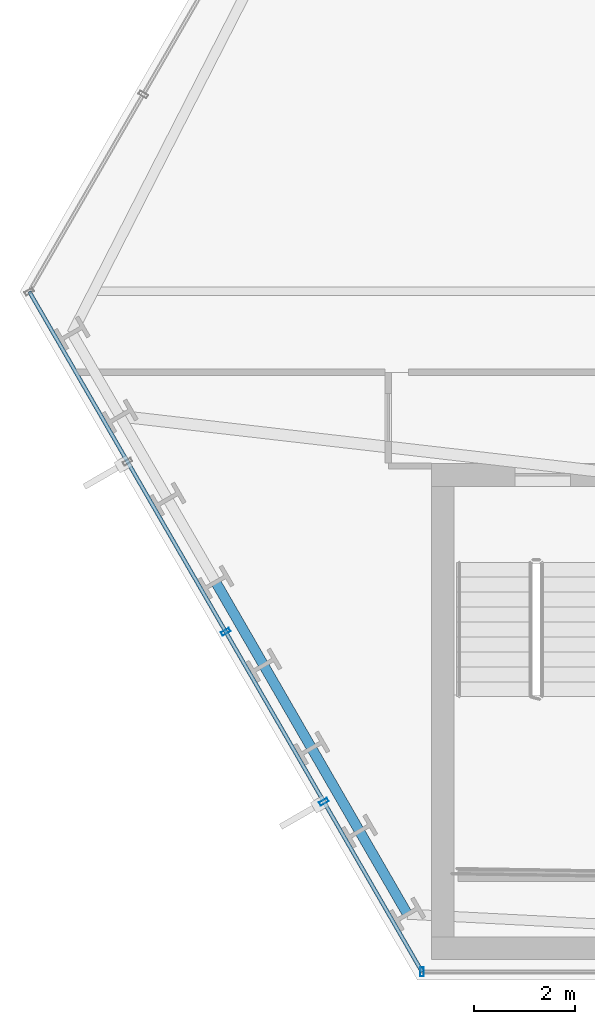
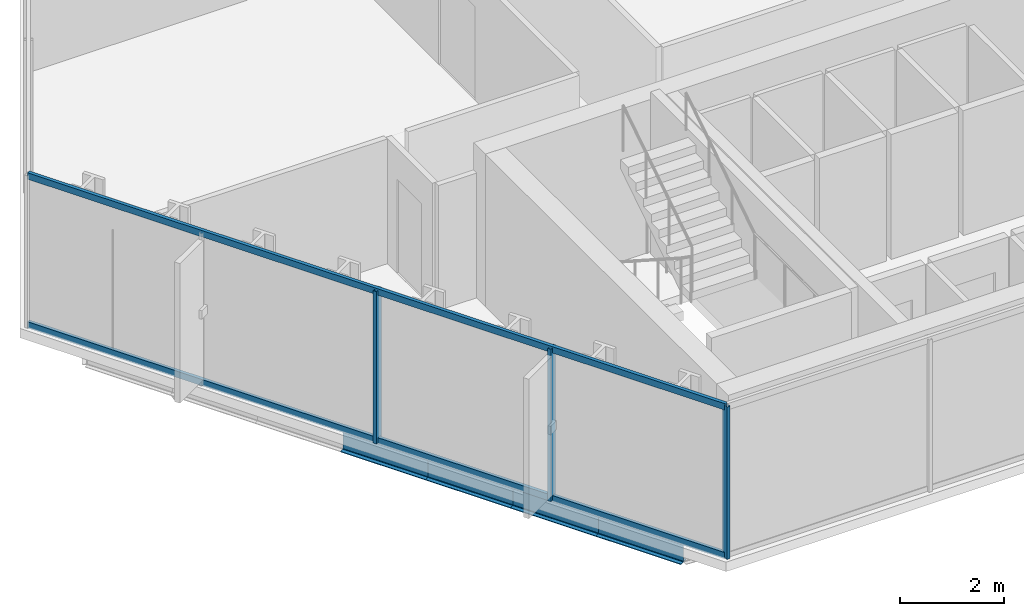
# One storey, part 2 of 32: 5 members, 4 beams, 2 elements without a shape of their own.
"""IFC4 building model written with IfcOpenShell, lengths in metres."""

from ifc_helpers import new_model, si_unit, direction, frame, origin, origin_2d, place, context, subcontext, project, spatial, hollow_rectangle, i_section, extrude, material, layer, layer_set, material_profile, profile_set, type_object, element, aggregate, save


model = new_model("IFC4")

# Units and contexts
model_context = context("Model", 3, precision=1e-05, world=origin(), true_north=direction((0.0, 1.0)))
body_context = subcontext(model_context, "Body", "Model", "MODEL_VIEW")
ifc_project = project(units=[si_unit("LENGTHUNIT", "METRE"), si_unit("AREAUNIT", "SQUARE_METRE"), si_unit("VOLUMEUNIT", "CUBIC_METRE"), si_unit("PLANEANGLEUNIT", "RADIAN"), si_unit("MASSUNIT", "GRAM", prefix="KILO")], contexts=[model_context])

# Site, building, storey
site_placement = place(None, origin())
site = spatial("IfcSite", under=ifc_project, at=site_placement, CompositionType="ELEMENT")
building_placement = place(site_placement, origin())
building = spatial("IfcBuilding", under=site, at=building_placement, Name="Ndaravel Arena Tower", CompositionType="ELEMENT")
storey_placement = place(building_placement, frame((0.0, 0.0, 62.60009765625)))
storey = spatial("IfcBuildingStorey", under=building, at=storey_placement, Name="L13", CompositionType="ELEMENT", Elevation=62.60009765625)

# Beams
ifc_material_1 = material(Name="Steel S355", Category="steel")
ifc_material_profile_1 = material_profile(ifc_material_1, i_section(OverallWidth=0.199951171875, OverallDepth=0.5, WebThickness=0.01025390625, FlangeThickness=0.01611328125, FilletRadius=0.02099609375, at=origin_2d()), Name="IPE 500")
ifc_profile_set_1 = profile_set([ifc_material_profile_1], Name="Steel S355")
beam_type = type_object("IfcBeamType", Name="BM-SPAN-IPE500", PredefinedType="SPANDREL", material=ifc_profile_set_1)
for number, where, z_axis, x_axis, name in (
    (1, (22.19091796875, 12.856689453125, -0.47021484375), (0.499912255713, -0.866076057046, 0.0), (0.866076057046, 0.499912255713, 0.0), "L13 Perimeter Spandrel Beam SP-23"),
    (2, (23.13720703125, 11.21728515625, -0.47021484375), (0.500064840575, -0.865987964824, 0.0), (0.865987964824, 0.500064840575, 0.0), "L13 Perimeter Spandrel Beam SP-24"),
):
    element("IfcBeam", number, at=place(storey_placement, frame(where, z_axis=z_axis, x_axis=x_axis)), inside=storey, type_object=beam_type, Name=name, PredefinedType="SPANDREL", context=body_context, shape_type="SweptSolid", body=[
        extrude(i_section(OverallWidth=0.199951171875, OverallDepth=0.5, WebThickness=0.01025390625, FlangeThickness=0.01611328125, FilletRadius=0.02099609375, at=origin_2d()), origin(), (0.0, 0.0, 1.0), 1.892822265625),
    ])
beam_1_placement = place(storey_placement, frame((24.083740234375, 9.578125, -0.47021484375), z_axis=(0.499968102766, -0.866043818878, 0.0), x_axis=(0.866043818878, 0.499968102766, 0.0)))
element("IfcBeam", 3, at=beam_1_placement, inside=storey, type_object=beam_type, Name="L13 Perimeter Spandrel Beam SP-25", PredefinedType="SPANDREL", context=body_context, shape_type="SweptSolid", body=[
    extrude(i_section(OverallWidth=0.199951171875, OverallDepth=0.5, WebThickness=0.01025390625, FlangeThickness=0.01611328125, FilletRadius=0.02099609375, at=origin_2d()), origin(), (0.0, 0.0, 1.0), 1.892578125),
])
beam_2_placement = place(storey_placement, frame((25.030029296875, 7.93896484375, -0.47021484375), z_axis=(0.50000898992, -0.86602021339, 0.0), x_axis=(0.86602021339, 0.50000898992, 0.0)))
element("IfcBeam", 4, at=beam_2_placement, inside=storey, type_object=beam_type, Name="L13 Perimeter Spandrel Beam SP-26", PredefinedType="SPANDREL", context=body_context, shape_type="SweptSolid", body=[
    extrude(i_section(OverallWidth=0.199951171875, OverallDepth=0.5, WebThickness=0.01025390625, FlangeThickness=0.01611328125, FilletRadius=0.02099609375, at=origin_2d()), origin(), (0.0, 0.0, 1.0), 1.89306640625),
])

# Curtain wall, member
ifc_material_2 = material(Name="Aluminium", Category="aluminium")
ifc_layer_1 = layer(ifc_material_2, 0.179931640625)
ifc_layer_set_1 = layer_set([ifc_layer_1], Name="Aluminium")
curtain_wall_type_1 = type_object("IfcCurtainWallType", Name="CW-SYS-03", PredefinedType="NOTDEFINED", material=ifc_layer_set_1)
curtain_wall_1_placement = place(storey_placement, origin())
curtain_wall_1 = element("IfcCurtainWall", 5, at=curtain_wall_1_placement, inside=storey, type_object=curtain_wall_type_1, Name="L13 Faceted Crystal Curtain Wall CW-L13-E01", PredefinedType="NOTDEFINED")
ifc_material_3 = material(Name="Aluminium", Category="aluminium")
ifc_material_profile_2 = material_profile(ifc_material_3, hollow_rectangle(XDim=0.074951171875, YDim=0.179931640625, WallThickness=0.00390625, at=origin_2d()), Name="CW MULLION 75x180x4")
ifc_profile_set_2 = profile_set([ifc_material_profile_2], Name="Aluminium")
member_type_1 = type_object("IfcMemberType", Name="MEM-CW-MUL180", PredefinedType="MULLION", material=ifc_profile_set_2)
member_1_placement = place(storey_placement, frame((26.264892578125, 5.159912109375, 0.0), z_axis=(0.0, 0.0, 1.0), x_axis=(1.0, 0.0, 0.0)))
member_1 = element("IfcMember", 6, at=member_1_placement, type_object=member_type_1, Name="CW-L13-E01 Mullion 00", PredefinedType="MULLION", context=body_context, shape_type="SweptSolid", body=[
    extrude(hollow_rectangle(XDim=0.074951171875, YDim=0.179931640625, WallThickness=0.00390625, at=origin_2d()), origin(), (0.0, 0.0, 1.0), 3.579833984375),
])
aggregate(curtain_wall_1, [member_1])

# Curtain wall, members
ifc_material_4 = material(Name="Aluminium", Category="aluminium")
ifc_layer_2 = layer(ifc_material_4, 0.179931640625)
ifc_layer_set_2 = layer_set([ifc_layer_2], Name="Aluminium")
curtain_wall_type_2 = type_object("IfcCurtainWallType", Name="CW-SYS-02", PredefinedType="NOTDEFINED", material=ifc_layer_set_2)
curtain_wall_2_placement = place(storey_placement, origin())
curtain_wall_2 = element("IfcCurtainWall", 7, at=curtain_wall_2_placement, inside=storey, type_object=curtain_wall_type_2, Name="L13 Faceted Crystal Curtain Wall CW-L13-E06", PredefinedType="NOTDEFINED")
member_2_placement = place(storey_placement, frame((22.386962890625, 11.876953125, 0.0), z_axis=(0.0, 0.0, 1.0), x_axis=(0.5, -0.866025403784, 0.0)))
member_2 = element("IfcMember", 8, at=member_2_placement, type_object=member_type_1, Name="CW-L13-E06 Mullion 02", PredefinedType="MULLION", context=body_context, shape_type="SweptSolid", body=[
    extrude(hollow_rectangle(XDim=0.074951171875, YDim=0.179931640625, WallThickness=0.00390625, at=origin_2d()), origin(), (0.0, 0.0, 1.0), 3.579833984375),
])
member_3_placement = place(storey_placement, frame((24.325927734375, 8.5185546875, 0.0), z_axis=(0.0, 0.0, 1.0), x_axis=(0.5, -0.866025403784, 0.0)))
member_3 = element("IfcMember", 9, at=member_3_placement, type_object=member_type_1, Name="CW-L13-E06 Mullion 03", PredefinedType="MULLION", context=body_context, shape_type="SweptSolid", body=[
    extrude(hollow_rectangle(XDim=0.074951171875, YDim=0.179931640625, WallThickness=0.00390625, at=origin_2d()), origin(), (0.0, 0.0, 1.0), 3.579833984375),
])
ifc_material_5 = material(Name="Aluminium", Category="aluminium")
ifc_material_profile_3 = material_profile(ifc_material_5, hollow_rectangle(XDim=0.074951171875, YDim=0.14990234375, WallThickness=0.00390625, at=origin_2d()), Name="CW TRANSOM 75x150x4")
ifc_profile_set_3 = profile_set([ifc_material_profile_3], Name="Aluminium")
member_type_2 = type_object("IfcMemberType", Name="MEM-CW-TRN150", PredefinedType="USERDEFINED", material=ifc_profile_set_3)
member_4_placement = place(storey_placement, frame((18.5087890625, 18.593994140625, 0.039794921875), z_axis=(0.499996743158, -0.866027284115, 0.0), x_axis=(0.866027284115, 0.499996743158, 0.0)))
member_4 = element("IfcMember", 10, at=member_4_placement, type_object=member_type_2, Name="CW-L13-E06 Transom 01", ObjectType="TRANSOM", PredefinedType="USERDEFINED", context=body_context, shape_type="SweptSolid", body=[
    extrude(hollow_rectangle(XDim=0.074951171875, YDim=0.14990234375, WallThickness=0.00390625, at=origin_2d()), origin(), (0.0, 0.0, 1.0), 15.51220703125),
])
member_5_placement = place(storey_placement, frame((18.5087890625, 18.593994140625, 3.539794921875), z_axis=(0.499996743158, -0.866027284115, 0.0), x_axis=(0.866027284115, 0.499996743158, 0.0)))
member_5 = element("IfcMember", 11, at=member_5_placement, type_object=member_type_2, Name="CW-L13-E06 Transom 02", ObjectType="TRANSOM", PredefinedType="USERDEFINED", context=body_context, shape_type="SweptSolid", body=[
    extrude(hollow_rectangle(XDim=0.074951171875, YDim=0.14990234375, WallThickness=0.00390625, at=origin_2d()), origin(), (0.0, 0.0, 1.0), 15.51220703125),
])
aggregate(curtain_wall_2, [member_2, member_3, member_4, member_5])

save(model, "model.ifc")
